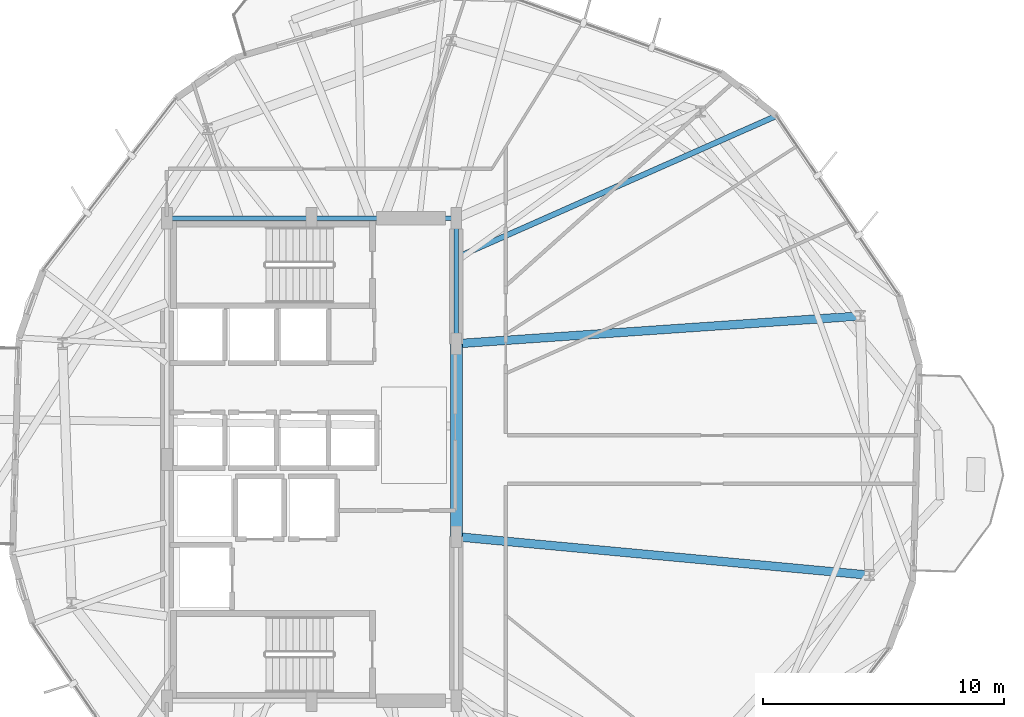
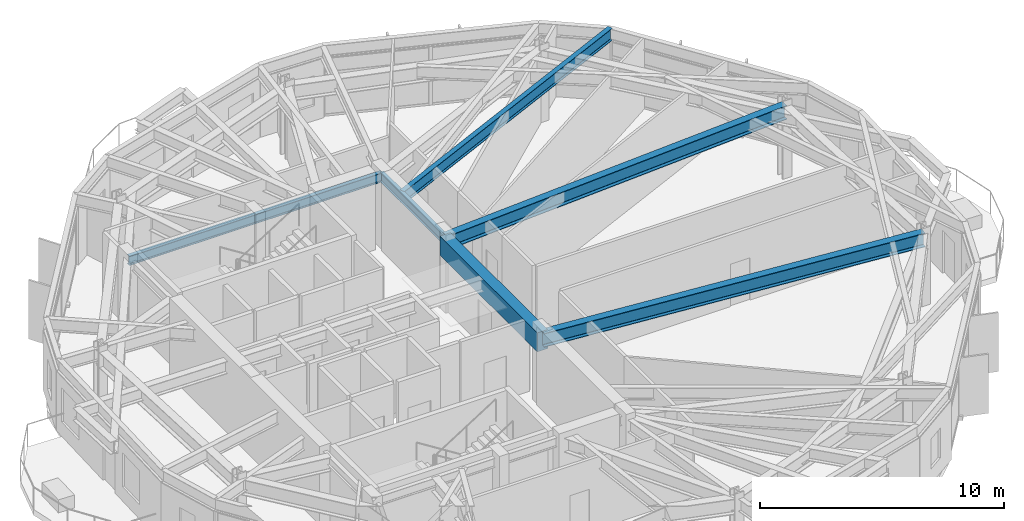
# One storey, part 7 of 24: 7 beams.
"""IFC4 building model written with IfcOpenShell, lengths in metres."""

from ifc_helpers import new_model, si_unit, direction, frame, origin, origin_2d, place, context, subcontext, project, spatial, rectangle, i_section, extrude, material, material_profile, profile_set, type_object, element, save


model = new_model("IFC4")

# Units and contexts
model_context = context("Model", 3, precision=1e-05, world=origin(), true_north=direction((0.0, 1.0)))
body_context = subcontext(model_context, "Body", "Model", "MODEL_VIEW")
ifc_project = project(units=[si_unit("LENGTHUNIT", "METRE"), si_unit("AREAUNIT", "SQUARE_METRE"), si_unit("VOLUMEUNIT", "CUBIC_METRE"), si_unit("PLANEANGLEUNIT", "RADIAN"), si_unit("MASSUNIT", "GRAM", prefix="KILO")], contexts=[model_context])

# Site, building, storey
site_placement = place(None, origin())
site = spatial("IfcSite", under=ifc_project, at=site_placement, CompositionType="ELEMENT")
building_placement = place(site_placement, origin())
building = spatial("IfcBuilding", under=site, at=building_placement, Name="Soratama Intermodal Tower", CompositionType="ELEMENT")
storey_placement = place(building_placement, frame((0.0, 0.0, 91.300048828125)))
storey = spatial("IfcBuildingStorey", under=building, at=storey_placement, Name="L21", CompositionType="ELEMENT", Elevation=91.300048828125)

# Beams
ifc_material_1 = material(Name="Concrete f'c 56 MPa", Category="concrete")
ifc_material_profile_1 = material_profile(ifc_material_1, rectangle(XDim=0.5, YDim=0.949951171875, at=origin_2d()), Name="RC500X950")
ifc_profile_set_1 = profile_set([ifc_material_profile_1], Name="Concrete f'c 56 MPa")
beam_type_1 = type_object("IfcBeamType", Name="BM-CPL-RC500X950", PredefinedType="BEAM", material=ifc_profile_set_1)
beam_1_placement = place(storey_placement, frame((44.60009765625, 21.800048828125, 3.125), z_axis=(0.0, 1.0, 0.0), x_axis=(-1.0, 0.0, 0.0)))
element("IfcBeam", 1, at=beam_1_placement, inside=storey, type_object=beam_type_1, Name="L21 Core Coupling Beam East", PredefinedType="BEAM", context=body_context, shape_type="SweptSolid", body=[
    extrude(rectangle(XDim=0.5, YDim=0.949951171875, at=origin_2d()), origin(), (0.0, 0.0, 1.0), 8.0),
])
ifc_material_2 = material(Name="Structural steel ASTM A992 Grade 50", Category="steel")
ifc_material_profile_2 = material_profile(ifc_material_2, i_section(OverallWidth=0.19091796875, OverallDepth=0.4599609375, WebThickness=0.010009765625, FlangeThickness=0.01611328125, FilletRadius=0.010986328125, at=origin_2d()), Name="W18X55")
ifc_profile_set_2 = profile_set([ifc_material_profile_2], Name="Structural steel ASTM A992 Grade 50")
beam_type_2 = type_object("IfcBeamType", Name="BM-FLR-W18X55", PredefinedType="BEAM", material=ifc_profile_set_2)
beam_2_placement = place(storey_placement, frame((44.60009765625, 29.800048828125, 3.369873046875), z_axis=(0.0, 1.0, 0.0), x_axis=(-1.0, 0.0, 0.0)))
element("IfcBeam", 2, at=beam_2_placement, inside=storey, type_object=beam_type_2, Name="BM-L21-CRING-05", PredefinedType="BEAM", context=body_context, shape_type="SweptSolid", body=[
    extrude(i_section(OverallWidth=0.19091796875, OverallDepth=0.4599609375, WebThickness=0.010009765625, FlangeThickness=0.01611328125, FilletRadius=0.010986328125, at=origin_2d()), origin(), (0.0, 0.0, 1.0), 5.199951171875),
])
for number, where, z_axis, x_axis, name in (
    (3, (44.60009765625, 35.0, 3.369873046875), (-1.0, 0.0, 0.0), (0.0, -1.0, 0.0), "BM-L21-CRING-06"),
    (4, (38.60009765625, 35.0, 3.369873046875), (-1.0, 0.0, 0.0), (0.0, -1.0, 0.0), "BM-L21-CRING-07"),
):
    element("IfcBeam", number, at=place(storey_placement, frame(where, z_axis=z_axis, x_axis=x_axis)), inside=storey, type_object=beam_type_2, Name=name, PredefinedType="BEAM", context=body_context, shape_type="SweptSolid", body=[
        extrude(i_section(OverallWidth=0.19091796875, OverallDepth=0.4599609375, WebThickness=0.010009765625, FlangeThickness=0.01611328125, FilletRadius=0.010986328125, at=origin_2d()), origin(), (0.0, 0.0, 1.0), 6.0),
    ])
ifc_material_3 = material(Name="Structural steel ASTM A992 Grade 50", Category="steel")
ifc_material_profile_3 = material_profile(ifc_material_3, i_section(OverallWidth=0.35498046875, OverallDepth=0.695068359375, WebThickness=0.015380859375, FlangeThickness=0.02490234375, FilletRadius=0.01611328125, at=origin_2d()), Name="W27X146")
ifc_profile_set_3 = profile_set([ifc_material_profile_3], Name="Structural steel ASTM A992 Grade 50")
beam_type_3 = type_object("IfcBeamType", Name="BM-RING-W27X146", PredefinedType="BEAM", material=ifc_profile_set_3)
beam_3_placement = place(storey_placement, frame((44.60009765625, 29.800048828125, 3.25244140625), z_axis=(0.99764812202, 0.06854359656, 0.0), x_axis=(-0.06854359656, 0.99764812202, 0.0)))
element("IfcBeam", 5, at=beam_3_placement, inside=storey, type_object=beam_type_3, Name="BM-L21-RAD-01", PredefinedType="BEAM", context=body_context, shape_type="SweptSolid", body=[
    extrude(i_section(OverallWidth=0.35498046875, OverallDepth=0.695068359375, WebThickness=0.015380859375, FlangeThickness=0.02490234375, FilletRadius=0.01611328125, at=origin_2d()), origin(), (0.0, 0.0, 1.0), 16.79052734375),
])
beam_4_placement = place(storey_placement, frame((44.60009765625, 21.800048828125, 3.25244140625), z_axis=(0.995686011515, -0.092786671855, 0.0), x_axis=(0.092786671855, 0.995686011515, 0.0)))
element("IfcBeam", 6, at=beam_4_placement, inside=storey, type_object=beam_type_3, Name="BM-L21-RAD-10", PredefinedType="BEAM", context=body_context, shape_type="SweptSolid", body=[
    extrude(i_section(OverallWidth=0.35498046875, OverallDepth=0.695068359375, WebThickness=0.015380859375, FlangeThickness=0.02490234375, FilletRadius=0.01611328125, at=origin_2d()), origin(), (0.0, 0.0, 1.0), 17.2001953125),
])
ifc_material_4 = material(Name="Structural steel ASTM A992 Grade 50", Category="steel")
ifc_material_profile_4 = material_profile(ifc_material_4, i_section(OverallWidth=0.22900390625, OverallDepth=0.612060546875, WebThickness=0.011962890625, FlangeThickness=0.01953125, FilletRadius=0.012939453125, at=origin_2d()), Name="W24X84")
ifc_profile_set_4 = profile_set([ifc_material_profile_4], Name="Structural steel ASTM A992 Grade 50")
beam_type_4 = type_object("IfcBeamType", Name="BM-TIE-W24X84", PredefinedType="BEAM", material=ifc_profile_set_4)
beam_5_placement = place(storey_placement, frame((44.636962890625, 33.385986328125, 3.2939453125), z_axis=(0.914317474789, 0.40499821641, 0.0), x_axis=(-0.40499821641, 0.914317474789, 0.0)))
element("IfcBeam", 7, at=beam_5_placement, inside=storey, type_object=beam_type_4, Name="BM-L21-TIE1-01", PredefinedType="BEAM", context=body_context, shape_type="SweptSolid", body=[
    extrude(i_section(OverallWidth=0.22900390625, OverallDepth=0.612060546875, WebThickness=0.011962890625, FlangeThickness=0.01953125, FilletRadius=0.012939453125, at=origin_2d()), origin(), (0.0, 0.0, 1.0), 14.486328125),
])

save(model, "model.ifc")
